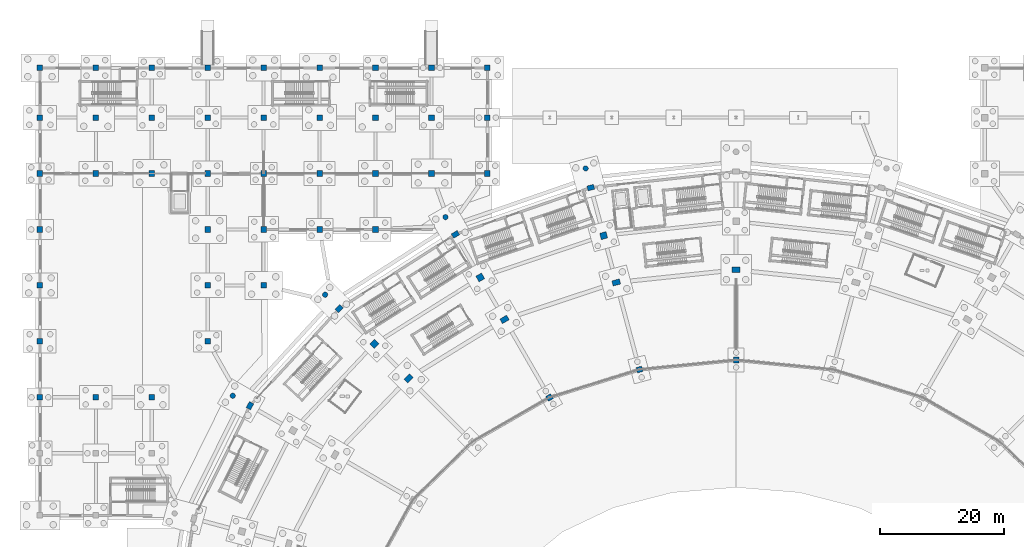
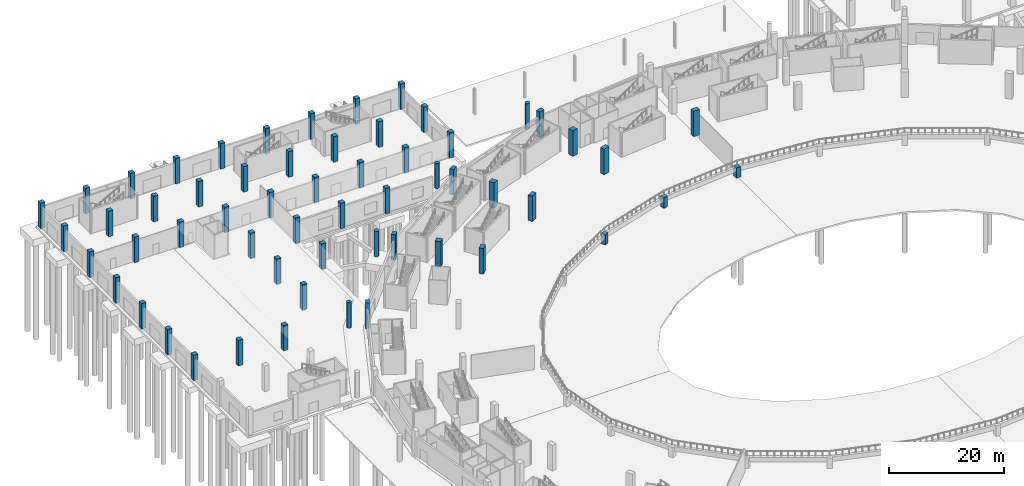
# One storey, part 22 of 103: 58 columns.
"""IFC4 building model written with IfcOpenShell, lengths in metres."""

from ifc_helpers import new_model, si_unit, direction, frame, origin, origin_2d, place, context, subcontext, project, spatial, rectangle, circle, extrude, material, material_profile, profile_set, type_object, element, save


model = new_model("IFC4")

# Units and contexts
model_context = context("Model", 3, precision=1e-05, world=origin(), true_north=direction((0.0, 1.0)))
body_context = subcontext(model_context, "Body", "Model", "MODEL_VIEW")
ifc_project = project(units=[si_unit("LENGTHUNIT", "METRE"), si_unit("AREAUNIT", "SQUARE_METRE"), si_unit("VOLUMEUNIT", "CUBIC_METRE"), si_unit("PLANEANGLEUNIT", "RADIAN"), si_unit("MASSUNIT", "GRAM", prefix="KILO")], contexts=[model_context])

# Site, building, storey
site_placement = place(None, origin())
site = spatial("IfcSite", under=ifc_project, at=site_placement, CompositionType="ELEMENT")
building_placement = place(site_placement, origin())
building = spatial("IfcBuilding", under=site, at=building_placement, Name="Zevraka Park Crest Stadium", CompositionType="ELEMENT")
storey_placement = place(building_placement, origin())
storey = spatial("IfcBuildingStorey", under=building, at=storey_placement, Name="L00", CompositionType="ELEMENT", Elevation=0.0)

# Columns
ifc_material_1 = material(Name="Concrete C40/50", Category="concrete")
ifc_material_profile_1 = material_profile(ifc_material_1, rectangle(XDim=0.85009765625, YDim=1.25, at=origin_2d()), Name="RC 1250x850")
ifc_profile_set_1 = profile_set([ifc_material_profile_1], Name="Concrete C40/50")
column_type_1 = type_object("IfcColumnType", Name="C01", PredefinedType="COLUMN", material=ifc_profile_set_1)
for number, where, z_axis, x_axis, name in (
    (1, (112.0, 151.5, 0.0), (0.0, 0.0, 1.0), (0.0, 1.0, 0.0), "Bowl Main Column C01 L00-B-06"),
    (2, (92.718017578125, 149.472900390625, 0.0), (0.0, 0.0, 1.0), (-0.258819045103, 0.965925826289, 0.0), "Bowl Main Column C01 L00-B-07"),
    (3, (74.75, 143.529052734375, 0.0), (0.0, 0.0, 1.0), (-0.5, 0.866025403784, 0.0), "Bowl Main Column C01 L00-B-08"),
    (4, (59.321044921875, 134.072998046875, 0.0), (0.0, 0.0, 1.0), (-0.707106781187, 0.707106781187, 0.0), "Bowl Main Column C01 L00-B-09"),
):
    element("IfcColumn", number, at=place(storey_placement, frame(where, z_axis=z_axis, x_axis=x_axis)), inside=storey, type_object=column_type_1, Name=name, PredefinedType="COLUMN", context=body_context, shape_type="SweptSolid", body=[
        extrude(rectangle(XDim=0.85009765625, YDim=1.25, at=origin_2d()), origin(), (0.0, 0.0, 1.0), 5.39990234375),
    ])
ifc_material_2 = material(Name="Concrete C40/50", Category="concrete")
ifc_material_profile_2 = material_profile(ifc_material_2, rectangle(XDim=0.800048828125, YDim=1.10009765625, at=origin_2d()), Name="RC 1100x800")
ifc_profile_set_2 = profile_set([ifc_material_profile_2], Name="Concrete C40/50")
column_type_2 = type_object("IfcColumnType", Name="C02", PredefinedType="COLUMN", material=ifc_profile_set_2)
for number, where, z_axis, x_axis, name in (
    (5, (88.62890625, 164.73388671875, 0.0), (0.0, 0.0, 1.0), (-0.258819045103, 0.965925826289, 0.0), "Perimeter Ring Column C02 L00-D-07"),
    (6, (66.85009765625, 157.2119140625, 0.0), (0.0, 0.0, 1.0), (-0.5, 0.866025403784, 0.0), "Perimeter Ring Column C02 L00-D-08"),
    (7, (48.14794921875, 145.2451171875, 0.0), (0.0, 0.0, 1.0), (-0.707106781187, 0.707106781187, 0.0), "Perimeter Ring Column C02 L00-D-09"),
    (8, (33.798095703125, 129.64990234375, 0.0), (0.0, 0.0, 1.0), (-0.866025403784, 0.5, 0.0), "Perimeter Ring Column C02 L00-D-10"),
):
    element("IfcColumn", number, at=place(storey_placement, frame(where, z_axis=z_axis, x_axis=x_axis)), inside=storey, type_object=column_type_2, Name=name, PredefinedType="COLUMN", context=body_context, shape_type="SweptSolid", body=[
        extrude(rectangle(XDim=0.800048828125, YDim=1.10009765625, at=origin_2d()), origin(), (0.0, 0.0, 1.0), 5.39990234375),
    ])
ifc_material_3 = material(Name="Concrete C40/50", Category="concrete")
ifc_material_profile_3 = material_profile(ifc_material_3, rectangle(XDim=1.050048828125, YDim=1.050048828125, at=origin_2d()), Name="RC 1050x1050")
ifc_profile_set_3 = profile_set([ifc_material_profile_3], Name="Concrete C40/50")
column_type_3 = type_object("IfcColumnType", Name="C03", PredefinedType="COLUMN", material=ifc_profile_set_3)
for number, where, z_axis, x_axis, name in (
    (9, (90.698974609375, 157.007080078125, 0.0), (0.0, 0.0, 1.0), (-0.258819045103, 0.965925826289, 0.0), "Concourse Mid Column C03 L00-C-07"),
    (10, (70.85009765625, 150.283935546875, 0.0), (0.0, 0.0, 1.0), (-0.5, 0.866025403784, 0.0), "Concourse Mid Column C03 L00-C-08"),
    (11, (53.804931640625, 139.587890625, 0.0), (0.0, 0.0, 1.0), (-0.707106781187, 0.707106781187, 0.0), "Concourse Mid Column C03 L00-C-09"),
):
    element("IfcColumn", number, at=place(storey_placement, frame(where, z_axis=z_axis, x_axis=x_axis)), inside=storey, type_object=column_type_3, Name=name, PredefinedType="COLUMN", context=body_context, shape_type="SweptSolid", body=[
        extrude(rectangle(XDim=1.050048828125, YDim=1.050048828125, at=origin_2d()), origin(), (0.0, 0.0, 1.0), 5.39990234375),
    ])
ifc_material_4 = material(Name="Concrete C40/50", Category="concrete")
ifc_material_profile_4 = material_profile(ifc_material_4, rectangle(XDim=0.89990234375, YDim=0.89990234375, at=origin_2d()), Name="RC 900x900")
ifc_profile_set_4 = profile_set([ifc_material_profile_4], Name="Concrete C40/50")
column_type_4 = type_object("IfcColumnType", Name="C04", PredefinedType="COLUMN", material=ifc_profile_set_4)
for number, where, z_axis, x_axis, name in (
    (12, (112.0, 137.0, 0.0), (0.0, 0.0, 1.0), (0.0, 1.0, 0.0), "Bowl Moat Column C04 L00-A-06"),
    (13, (96.470947265625, 135.467041015625, 0.0), (0.0, 0.0, 1.0), (-0.258819045103, 0.965925826289, 0.0), "Bowl Moat Column C04 L00-A-07"),
    (14, (82.0, 130.970947265625, 0.0), (0.0, 0.0, 1.0), (-0.5, 0.866025403784, 0.0), "Bowl Moat Column C04 L00-A-08"),
):
    element("IfcColumn", number, at=place(storey_placement, frame(where, z_axis=z_axis, x_axis=x_axis)), inside=storey, type_object=column_type_4, Name=name, PredefinedType="COLUMN", context=body_context, shape_type="SweptSolid", body=[
        extrude(rectangle(XDim=0.89990234375, YDim=0.89990234375, at=origin_2d()), origin(), (0.0, 0.0, 1.0), 2.199951171875),
    ])
for number, where, z_axis, x_axis, name in (
    (15, (0.0, 131.0, 0.0), (0.0, 0.0, 1.0), (1.0, 0.0, 0.0), "Wing Column C04 L00-1/Q"),
    (16, (0.0, 140.0, 0.0), (0.0, 0.0, 1.0), (1.0, 0.0, 0.0), "Wing Column C04 L00-1/R"),
    (17, (0.0, 149.0, 0.0), (0.0, 0.0, 1.0), (1.0, 0.0, 0.0), "Wing Column C04 L00-1/S"),
    (18, (0.0, 158.0, 0.0), (0.0, 0.0, 1.0), (1.0, 0.0, 0.0), "Wing Column C04 L00-1/T"),
    (19, (0.0, 167.0, 0.0), (0.0, 0.0, 1.0), (1.0, 0.0, 0.0), "Wing Column C04 L00-1/U"),
    (20, (0.0, 176.0, 0.0), (0.0, 0.0, 1.0), (1.0, 0.0, 0.0), "Wing Column C04 L00-1/V"),
    (21, (0.0, 184.0, 0.0), (0.0, 0.0, 1.0), (1.0, 0.0, 0.0), "Wing Column C04 L00-1/W"),
    (22, (9.0, 131.0, 0.0), (0.0, 0.0, 1.0), (1.0, 0.0, 0.0), "Wing Column C04 L00-2/Q"),
    (23, (9.0, 167.0, 0.0), (0.0, 0.0, 1.0), (1.0, 0.0, 0.0), "Wing Column C04 L00-2/U"),
    (24, (9.0, 176.0, 0.0), (0.0, 0.0, 1.0), (1.0, 0.0, 0.0), "Wing Column C04 L00-2/V"),
    (25, (9.0, 184.0, 0.0), (0.0, 0.0, 1.0), (1.0, 0.0, 0.0), "Wing Column C04 L00-2/W"),
    (26, (18.0, 131.0, 0.0), (0.0, 0.0, 1.0), (1.0, 0.0, 0.0), "Wing Column C04 L00-3/Q"),
    (27, (18.0, 167.0, 0.0), (0.0, 0.0, 1.0), (1.0, 0.0, 0.0), "Wing Column C04 L00-3/U"),
    (28, (18.0, 176.0, 0.0), (0.0, 0.0, 1.0), (1.0, 0.0, 0.0), "Wing Column C04 L00-3/V"),
    (29, (18.0, 184.0, 0.0), (0.0, 0.0, 1.0), (1.0, 0.0, 0.0), "Wing Column C04 L00-3/W"),
    (30, (27.0, 140.0, 0.0), (0.0, 0.0, 1.0), (1.0, 0.0, 0.0), "Wing Column C04 L00-4/R"),
    (31, (27.0, 149.0, 0.0), (0.0, 0.0, 1.0), (1.0, 0.0, 0.0), "Wing Column C04 L00-4/S"),
    (32, (27.0, 158.0, 0.0), (0.0, 0.0, 1.0), (1.0, 0.0, 0.0), "Wing Column C04 L00-4/T"),
    (33, (27.0, 167.0, 0.0), (0.0, 0.0, 1.0), (1.0, 0.0, 0.0), "Wing Column C04 L00-4/U"),
    (34, (27.0, 176.0, 0.0), (0.0, 0.0, 1.0), (1.0, 0.0, 0.0), "Wing Column C04 L00-4/V"),
    (35, (27.0, 184.0, 0.0), (0.0, 0.0, 1.0), (1.0, 0.0, 0.0), "Wing Column C04 L00-4/W"),
    (36, (36.0, 149.0, 0.0), (0.0, 0.0, 1.0), (1.0, 0.0, 0.0), "Wing Column C04 L00-5/S"),
    (37, (36.0, 158.0, 0.0), (0.0, 0.0, 1.0), (1.0, 0.0, 0.0), "Wing Column C04 L00-5/T"),
    (38, (36.0, 167.0, 0.0), (0.0, 0.0, 1.0), (1.0, 0.0, 0.0), "Wing Column C04 L00-5/U"),
    (39, (36.0, 176.0, 0.0), (0.0, 0.0, 1.0), (1.0, 0.0, 0.0), "Wing Column C04 L00-5/V"),
    (40, (36.0, 184.0, 0.0), (0.0, 0.0, 1.0), (1.0, 0.0, 0.0), "Wing Column C04 L00-5/W"),
    (41, (45.0, 158.0, 0.0), (0.0, 0.0, 1.0), (1.0, 0.0, 0.0), "Wing Column C04 L00-6/T"),
    (42, (45.0, 167.0, 0.0), (0.0, 0.0, 1.0), (1.0, 0.0, 0.0), "Wing Column C04 L00-6/U"),
    (43, (45.0, 176.0, 0.0), (0.0, 0.0, 1.0), (1.0, 0.0, 0.0), "Wing Column C04 L00-6/V"),
    (44, (45.0, 184.0, 0.0), (0.0, 0.0, 1.0), (1.0, 0.0, 0.0), "Wing Column C04 L00-6/W"),
    (45, (54.0, 158.0, 0.0), (0.0, 0.0, 1.0), (1.0, 0.0, 0.0), "Wing Column C04 L00-7/T"),
    (46, (54.0, 167.0, 0.0), (0.0, 0.0, 1.0), (1.0, 0.0, 0.0), "Wing Column C04 L00-7/U"),
    (47, (54.0, 176.0, 0.0), (0.0, 0.0, 1.0), (1.0, 0.0, 0.0), "Wing Column C04 L00-7/V"),
    (48, (54.0, 184.0, 0.0), (0.0, 0.0, 1.0), (1.0, 0.0, 0.0), "Wing Column C04 L00-7/W"),
    (49, (63.0, 167.0, 0.0), (0.0, 0.0, 1.0), (1.0, 0.0, 0.0), "Wing Column C04 L00-8/U"),
    (50, (63.0, 176.0, 0.0), (0.0, 0.0, 1.0), (1.0, 0.0, 0.0), "Wing Column C04 L00-8/V"),
    (51, (63.0, 184.0, 0.0), (0.0, 0.0, 1.0), (1.0, 0.0, 0.0), "Wing Column C04 L00-8/W"),
    (52, (72.0, 167.0, 0.0), (0.0, 0.0, 1.0), (1.0, 0.0, 0.0), "Wing Column C04 L00-9/U"),
    (53, (72.0, 176.0, 0.0), (0.0, 0.0, 1.0), (1.0, 0.0, 0.0), "Wing Column C04 L00-9/V"),
    (54, (72.0, 184.0, 0.0), (0.0, 0.0, 1.0), (1.0, 0.0, 0.0), "Wing Column C04 L00-9/W"),
):
    element("IfcColumn", number, at=place(storey_placement, frame(where, z_axis=z_axis, x_axis=x_axis)), inside=storey, type_object=column_type_4, Name=name, PredefinedType="COLUMN", context=body_context, shape_type="SweptSolid", body=[
        extrude(rectangle(XDim=0.89990234375, YDim=0.89990234375, at=origin_2d()), origin(), (0.0, 0.0, 1.0), 5.39990234375),
    ])
ifc_material_5 = material(Name="Concrete C40/50", Category="concrete")
ifc_material_profile_5 = material_profile(ifc_material_5, circle(Radius=0.425048828125, at=origin_2d()), Name="RC D850")
ifc_profile_set_5 = profile_set([ifc_material_profile_5], Name="Concrete C40/50")
column_type_5 = type_object("IfcColumnType", Name="C06", PredefinedType="COLUMN", material=ifc_profile_set_5)
for number, where, z_axis, x_axis, name in (
    (55, (87.800048828125, 167.824951171875, 0.0), (0.0, 0.0, 1.0), (1.0, 0.0, 0.0), "Arcade Cumba Column C06 L00-E-07"),
    (56, (65.25, 159.98291015625, 0.0), (0.0, 0.0, 1.0), (1.0, 0.0, 0.0), "Arcade Cumba Column C06 L00-E-08"),
    (57, (45.885986328125, 147.508056640625, 0.0), (0.0, 0.0, 1.0), (1.0, 0.0, 0.0), "Arcade Cumba Column C06 L00-E-09"),
    (58, (31.027099609375, 131.25, 0.0), (0.0, 0.0, 1.0), (1.0, 0.0, 0.0), "Arcade Cumba Column C06 L00-E-10"),
):
    element("IfcColumn", number, at=place(storey_placement, frame(where, z_axis=z_axis, x_axis=x_axis)), inside=storey, type_object=column_type_5, Name=name, PredefinedType="COLUMN", context=body_context, shape_type="SweptSolid", body=[
        extrude(circle(Radius=0.425048828125, at=origin_2d()), origin(), (0.0, 0.0, 1.0), 5.39990234375),
    ])

save(model, "model.ifc")
